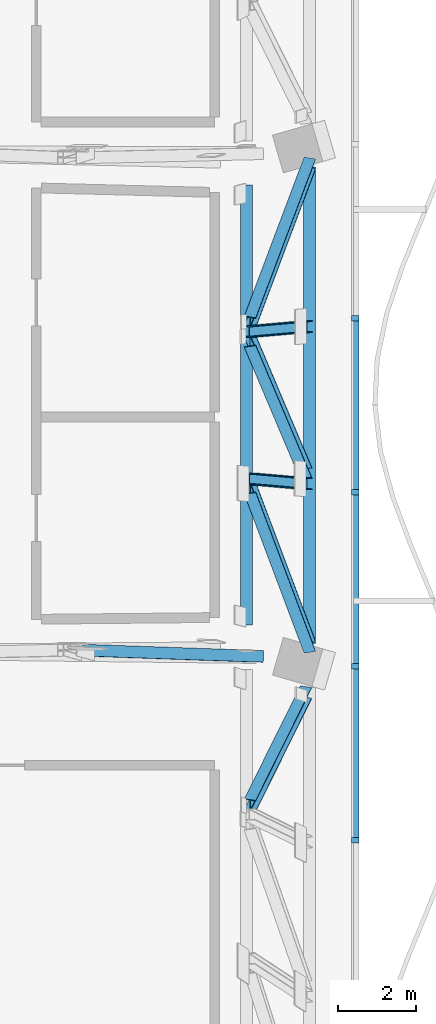
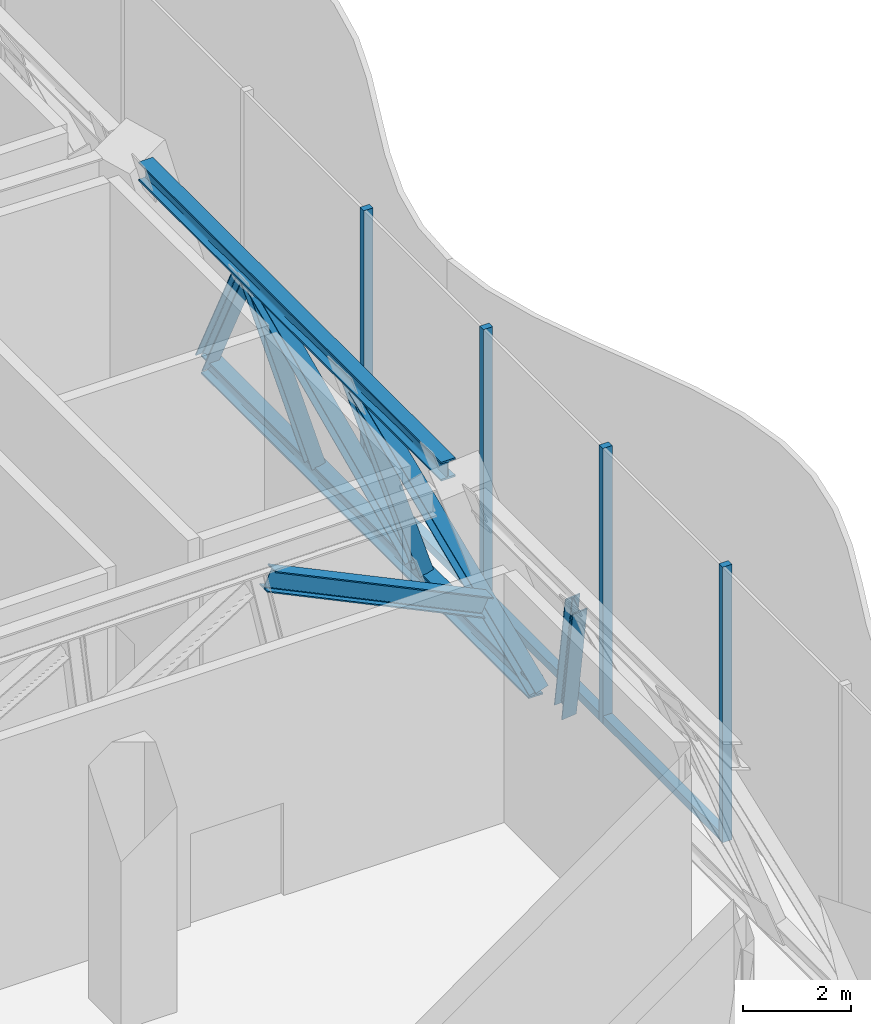
# One storey, part 5 of 29: 16 members, 1 element without a shape of its own.
"""IFC4 building model written with IfcOpenShell, lengths in metres."""

from ifc_helpers import new_model, si_unit, direction, frame, origin, origin_2d, place, context, subcontext, project, spatial, rectangle, i_section, extrude, material, material_profile, profile_set, type_object, element, aggregate, save


model = new_model("IFC4")

# Units and contexts
model_context = context("Model", 3, precision=1e-05, world=origin(), true_north=direction((0.0, 1.0)))
body_context = subcontext(model_context, "Body", "Model", "MODEL_VIEW")
ifc_project = project(units=[si_unit("LENGTHUNIT", "METRE"), si_unit("AREAUNIT", "SQUARE_METRE"), si_unit("VOLUMEUNIT", "CUBIC_METRE"), si_unit("PLANEANGLEUNIT", "RADIAN"), si_unit("MASSUNIT", "GRAM", prefix="KILO")], contexts=[model_context])

# Site, building, storey
site_placement = place(None, origin())
site = spatial("IfcSite", under=ifc_project, at=site_placement, CompositionType="ELEMENT")
building_placement = place(site_placement, origin())
building = spatial("IfcBuilding", under=site, at=building_placement, Name="Mopane Tessera Tower", CompositionType="ELEMENT")
storey_placement = place(building_placement, frame((0.0, 0.0, 315.39990234375)))
storey = spatial("IfcBuildingStorey", under=building, at=storey_placement, Name="L69", CompositionType="ELEMENT", Elevation=315.39990234375)

# Curtain wall, members
ifc_material_1 = material(Name="Aluminium frame", Category="aluminium")
curtain_wall_type = type_object("IfcCurtainWallType", Name="Plant floor unitised wall", PredefinedType="NOTDEFINED", material=ifc_material_1)
curtain_wall_placement = place(storey_placement, origin())
curtain_wall = element("IfcCurtainWall", 1, at=curtain_wall_placement, inside=storey, type_object=curtain_wall_type, Name="e:cw:L69:E:0", PredefinedType="NOTDEFINED")
ifc_material_2 = material(Name="Aluminium frame", Category="aluminium")
ifc_material_profile_1 = material_profile(ifc_material_2, rectangle(XDim=0.139892578125, YDim=0.199951171875, at=origin_2d()))
ifc_profile_set_1 = profile_set([ifc_material_profile_1], Name="Aluminium frame")
member_type_1 = type_object("IfcMemberType", Name="Aluminium mullion 140 x 200", PredefinedType="MULLION", material=ifc_profile_set_1)
member_1_placement = place(storey_placement, frame((29.75, -11.111083984375, -0.599853515625), z_axis=(0.0, 0.0, 1.0), x_axis=(0.0, 1.0, 0.0)))
member_1 = element("IfcMember", 2, at=member_1_placement, type_object=member_type_1, Name="e:cw:L69:E:0:mu2", PredefinedType="MULLION", context=body_context, shape_type="SweptSolid", body=[
    extrude(rectangle(XDim=0.139892578125, YDim=0.199951171875, at=origin_2d()), origin(), (0.0, 0.0, 1.0), 6.25),
])
member_2_placement = place(storey_placement, frame((29.75, -6.666748046875, -0.599853515625), z_axis=(0.0, 0.0, 1.0), x_axis=(0.0, 1.0, 0.0)))
member_2 = element("IfcMember", 3, at=member_2_placement, type_object=member_type_1, Name="e:cw:L69:E:0:mu3", PredefinedType="MULLION", context=body_context, shape_type="SweptSolid", body=[
    extrude(rectangle(XDim=0.139892578125, YDim=0.199951171875, at=origin_2d()), origin(), (0.0, 0.0, 1.0), 6.25),
])
member_3_placement = place(storey_placement, frame((29.75, -2.22216796875, -0.599853515625), z_axis=(0.0, 0.0, 1.0), x_axis=(0.0, 1.0, 0.0)))
member_3 = element("IfcMember", 4, at=member_3_placement, type_object=member_type_1, Name="e:cw:L69:E:0:mu4", PredefinedType="MULLION", context=body_context, shape_type="SweptSolid", body=[
    extrude(rectangle(XDim=0.139892578125, YDim=0.199951171875, at=origin_2d()), origin(), (0.0, 0.0, 1.0), 6.25),
])
member_4_placement = place(storey_placement, frame((29.75, 2.22216796875, -0.599853515625), z_axis=(0.0, 0.0, 1.0), x_axis=(0.0, 1.0, 0.0)))
member_4 = element("IfcMember", 5, at=member_4_placement, type_object=member_type_1, Name="e:cw:L69:E:0:mu5", PredefinedType="MULLION", context=body_context, shape_type="SweptSolid", body=[
    extrude(rectangle(XDim=0.139892578125, YDim=0.199951171875, at=origin_2d()), origin(), (0.0, 0.0, 1.0), 6.25),
])
ifc_material_3 = material(Name="Aluminium frame", Category="aluminium")
ifc_material_profile_2 = material_profile(ifc_material_3, rectangle(XDim=0.199951171875, YDim=0.179931640625, at=origin_2d()))
ifc_profile_set_2 = profile_set([ifc_material_profile_2], Name="Aluminium frame")
member_type_2 = type_object("IfcMemberType", Name="Aluminium transom 200 x 180", PredefinedType="USERDEFINED", material=ifc_profile_set_2)
member_5_placement = place(storey_placement, frame((29.75, -11.041015625, -0.510009765625), z_axis=(0.0, 1.0, 0.0), x_axis=(-1.0, 0.0, 0.0)))
member_5 = element("IfcMember", 6, at=member_5_placement, type_object=member_type_2, Name="e:cw:L69:E:0:tr2", ObjectType="TRANSOM", PredefinedType="USERDEFINED", context=body_context, shape_type="SweptSolid", body=[
    extrude(rectangle(XDim=0.199951171875, YDim=0.179931640625, at=origin_2d()), origin(), (0.0, 0.0, 1.0), 4.304443359375),
])
member_6_placement = place(storey_placement, frame((29.75, -6.5966796875, -0.510009765625), z_axis=(0.0, 1.0, 0.0), x_axis=(-1.0, 0.0, 0.0)))
member_6 = element("IfcMember", 7, at=member_6_placement, type_object=member_type_2, Name="e:cw:L69:E:0:tr3", ObjectType="TRANSOM", PredefinedType="USERDEFINED", context=body_context, shape_type="SweptSolid", body=[
    extrude(rectangle(XDim=0.199951171875, YDim=0.179931640625, at=origin_2d()), origin(), (0.0, 0.0, 1.0), 4.304443359375),
])
member_7_placement = place(storey_placement, frame((29.75, -2.15234375, -0.510009765625), z_axis=(0.0, 1.0, 0.0), x_axis=(-1.0, 0.0, 0.0)))
member_7 = element("IfcMember", 8, at=member_7_placement, type_object=member_type_2, Name="e:cw:L69:E:0:tr4", ObjectType="TRANSOM", PredefinedType="USERDEFINED", context=body_context, shape_type="SweptSolid", body=[
    extrude(rectangle(XDim=0.199951171875, YDim=0.179931640625, at=origin_2d()), origin(), (0.0, 0.0, 1.0), 4.3046875),
])
aggregate(curtain_wall, [member_1, member_2, member_3, member_4, member_5, member_6, member_7])

# Members
ifc_material_4 = material(Name="Structural steel S460", Category="steel")
ifc_material_profile_3 = material_profile(ifc_material_4, i_section(OverallWidth=0.306884765625, OverallDepth=0.431884765625, WebThickness=0.02099609375, FlangeThickness=0.0400390625, FilletRadius=0.027099609375, at=origin_2d()))
ifc_profile_set_3 = profile_set([ifc_material_profile_3], Name="Structural steel S460")
member_type_3 = type_object("IfcMemberType", Name="Belt truss chord HE 400 M", PredefinedType="CHORD", material=ifc_profile_set_3)
member_8_placement = place(storey_placement, frame((28.583251953125, -6.08349609375, 0.216064453125), z_axis=(0.0, 1.0, 0.0), x_axis=(-1.0, 0.0, 0.0)))
element("IfcMember", 9, at=member_8_placement, inside=storey, type_object=member_type_3, Name="Belt truss bottom chord L69 E1-E2", PredefinedType="CHORD", context=body_context, shape_type="SweptSolid", body=[
    extrude(i_section(OverallWidth=0.306884765625, OverallDepth=0.431884765625, WebThickness=0.02099609375, FlangeThickness=0.0400390625, FilletRadius=0.027099609375, at=origin_2d()), origin(), (0.0, 0.0, 1.0), 12.1669921875),
])
member_9_placement = place(storey_placement, frame((26.974609375, -5.619384765625, 5.43408203125), z_axis=(0.0, 1.0, 0.0), x_axis=(-1.0, 0.0, 0.0)))
element("IfcMember", 10, at=member_9_placement, inside=storey, type_object=member_type_3, Name="Belt truss top chord L69 E1-E2", PredefinedType="CHORD", context=body_context, shape_type="SweptSolid", body=[
    extrude(i_section(OverallWidth=0.306884765625, OverallDepth=0.431884765625, WebThickness=0.02099609375, FlangeThickness=0.0400390625, FilletRadius=0.027099609375, at=origin_2d()), origin(), (0.0, 0.0, 1.0), 11.23876953125),
])
ifc_material_5 = material(Name="Structural steel S460", Category="steel")
ifc_material_profile_4 = material_profile(ifc_material_5, i_section(OverallWidth=0.300048828125, OverallDepth=0.340087890625, WebThickness=0.011962890625, FlangeThickness=0.021484375, FilletRadius=0.027099609375, at=origin_2d()))
ifc_profile_set_4 = profile_set([ifc_material_profile_4], Name="Structural steel S460")
member_type_4 = type_object("IfcMemberType", Name="Belt truss diagonal HE 340 B", PredefinedType="BRACE", material=ifc_profile_set_4)
member_10_placement = place(storey_placement, frame((27.063232421875, -10.2216796875, 5.146484375), z_axis=(0.253306018781, 0.510673229061, -0.821613603812), x_axis=(-0.967386200464, 0.133718232126, -0.215135709607)))
element("IfcMember", 11, at=member_10_placement, inside=storey, type_object=member_type_4, Name="Belt truss diagonal 2 L69 E0-E1", PredefinedType="BRACE", context=body_context, shape_type="SweptSolid", body=[
    extrude(i_section(OverallWidth=0.300048828125, OverallDepth=0.340087890625, WebThickness=0.011962890625, FlangeThickness=0.021484375, FilletRadius=0.027099609375, at=origin_2d()), origin(), (0.0, 0.0, 1.0), 5.65087890625),
])
member_11_placement = place(storey_placement, frame((28.5908203125, -6.18212890625, 0.19140625), z_axis=(-0.231943807826, 0.616588590973, 0.752343392005), x_axis=(-0.972729186357, -0.147026980672, -0.179390626746)))
element("IfcMember", 12, at=member_11_placement, inside=storey, type_object=member_type_4, Name="Belt truss diagonal 0 L69 E1-E2", PredefinedType="BRACE", context=body_context, shape_type="SweptSolid", body=[
    extrude(i_section(OverallWidth=0.300048828125, OverallDepth=0.340087890625, WebThickness=0.011962890625, FlangeThickness=0.021484375, FilletRadius=0.027099609375, at=origin_2d()), origin(), (0.0, 0.0, 1.0), 6.583984375),
])
member_12_placement = place(storey_placement, frame((28.4951171875, -1.745361328125, 0.501953125), z_axis=(-0.241852604143, 0.571014534276, 0.784506035359), x_axis=(-0.970312999934, -0.142322202418, -0.195543020478)))
element("IfcMember", 13, at=member_12_placement, inside=storey, type_object=member_type_4, Name="Belt truss diagonal 1 L69 E1-E2", PredefinedType="BRACE", context=body_context, shape_type="SweptSolid", body=[
    extrude(i_section(OverallWidth=0.300048828125, OverallDepth=0.340087890625, WebThickness=0.011962890625, FlangeThickness=0.021484375, FilletRadius=0.027099609375, at=origin_2d()), origin(), (0.0, 0.0, 1.0), 5.922607421875),
])
member_13_placement = place(storey_placement, frame((27.063720703125, 2.12255859375, 5.144775390625), z_axis=(0.231943807826, 0.616588590973, -0.752343392005), x_axis=(-0.972729186357, 0.147026980672, -0.179390626746)))
element("IfcMember", 14, at=member_13_placement, inside=storey, type_object=member_type_4, Name="Belt truss diagonal 2 L69 E1-E2", PredefinedType="BRACE", context=body_context, shape_type="SweptSolid", body=[
    extrude(i_section(OverallWidth=0.300048828125, OverallDepth=0.340087890625, WebThickness=0.011962890625, FlangeThickness=0.021484375, FilletRadius=0.027099609375, at=origin_2d()), origin(), (0.0, 0.0, 1.0), 6.583984375),
])
ifc_material_6 = material(Name="Structural steel S460", Category="steel")
ifc_material_profile_5 = material_profile(ifc_material_6, i_section(OverallWidth=0.300048828125, OverallDepth=0.300048828125, WebThickness=0.010986328125, FlangeThickness=0.01904296875, FilletRadius=0.027099609375, at=origin_2d()))
ifc_profile_set_5 = profile_set([ifc_material_profile_5], Name="Structural steel S460")
member_type_5 = type_object("IfcMemberType", Name="Belt truss post HE 300 B", PredefinedType="POST", material=ifc_profile_set_5)
for number, where, z_axis, x_axis, name in (
    (15, (28.5166015625, -2.0078125, 0.43212890625), (-0.294491833865, 0.025730876763, 0.955307532561), (-0.955653995687, -0.007910625675, -0.2943855678), "Belt truss post 1 L69 E1-E2"),
    (16, (28.5166015625, 2.0078125, 0.43212890625), (-0.294491833865, -0.025730876763, 0.955307532561), (-0.955653995687, 0.007910625675, -0.2943855678), "Belt truss post 2 L69 E1-E2"),
):
    element("IfcMember", number, at=place(storey_placement, frame(where, z_axis=z_axis, x_axis=x_axis)), inside=storey, type_object=member_type_5, Name=name, PredefinedType="POST", context=body_context, shape_type="SweptSolid", body=[
        extrude(i_section(OverallWidth=0.300048828125, OverallDepth=0.300048828125, WebThickness=0.010986328125, FlangeThickness=0.01904296875, FilletRadius=0.027099609375, at=origin_2d()), origin(), (0.0, 0.0, 1.0), 5.009765625),
    ])
ifc_material_7 = material(Name="Structural steel S460", Category="steel")
ifc_material_profile_6 = material_profile(ifc_material_7, i_section(OverallWidth=0.300048828125, OverallDepth=0.449951171875, WebThickness=0.013916015625, FlangeThickness=0.02587890625, FilletRadius=0.027099609375, at=origin_2d()))
ifc_profile_set_6 = profile_set([ifc_material_profile_6], Name="Structural steel S460")
member_type_6 = type_object("IfcMemberType", Name="Outrigger truss diagonal HE 450 B", PredefinedType="BRACE", material=ifc_profile_set_6)
member_14_placement = place(storey_placement, frame((22.729248046875, -6.258056640625, 4.847412109375), z_axis=(0.908517471559, -0.03171048406, -0.416641871482), x_axis=(0.030782372825, 0.999486062673, -0.008947404441)))
element("IfcMember", 17, at=member_14_placement, inside=storey, type_object=member_type_6, Name="Outrigger truss diagonal 2 L69 E1", PredefinedType="BRACE", context=body_context, shape_type="SweptSolid", body=[
    extrude(i_section(OverallWidth=0.300048828125, OverallDepth=0.449951171875, WebThickness=0.013916015625, FlangeThickness=0.02587890625, FilletRadius=0.027099609375, at=origin_2d()), origin(), (0.0, 0.0, 1.0), 5.04296875),
])

save(model, "model.ifc")
